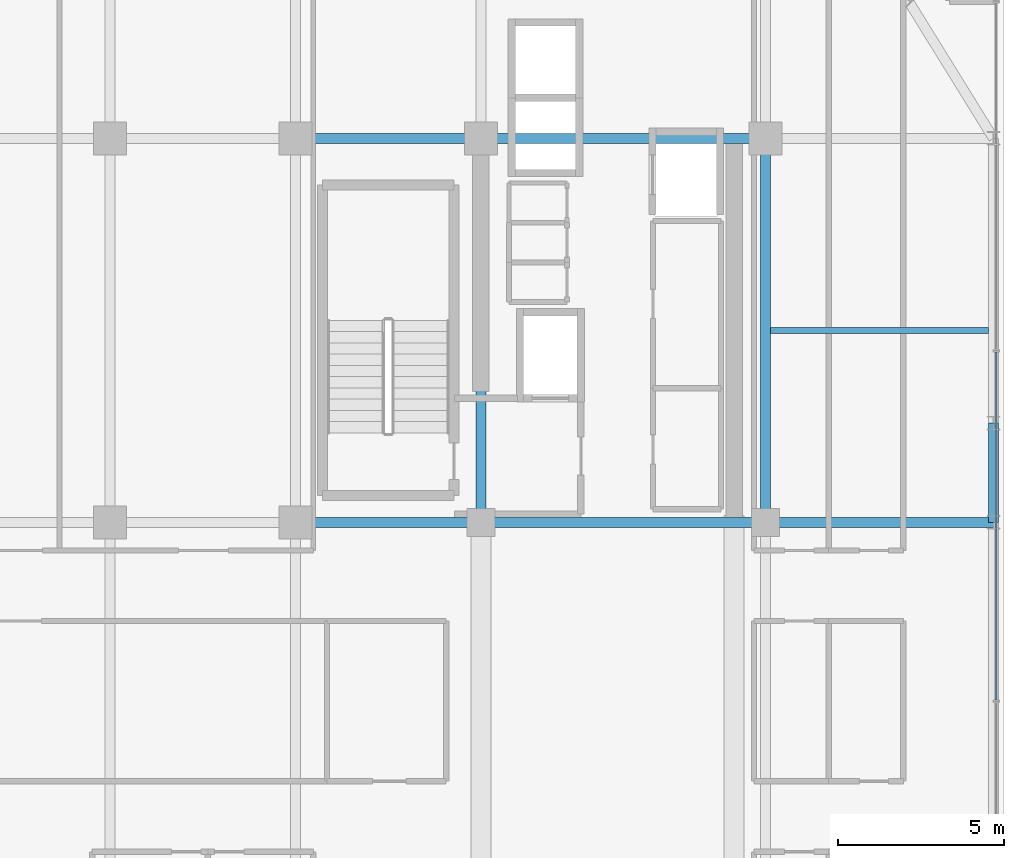
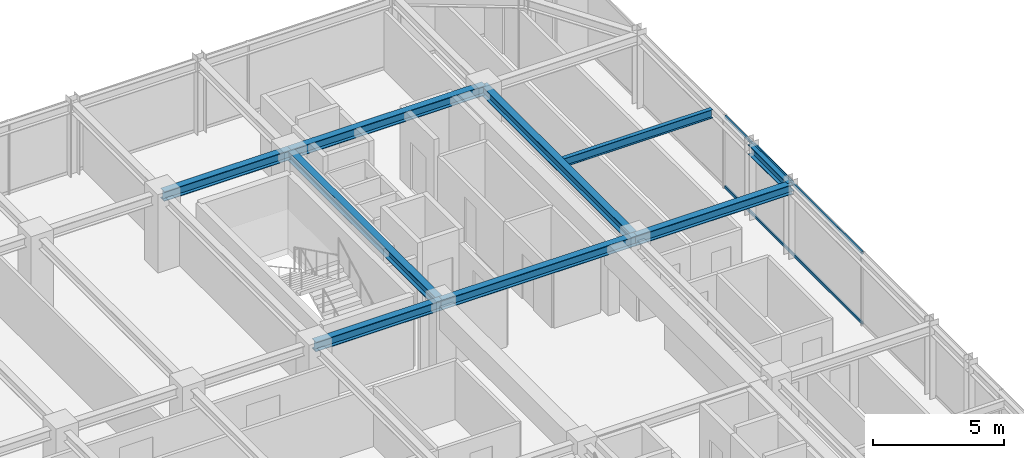
# One storey, part 23 of 35: 9 beams, 2 members, 1 element without a shape of its own.
"""IFC4 building model written with IfcOpenShell, lengths in metres."""

import ifcopenshell
import ifcopenshell.guid

model = None  # the IFC model being written
_history = None  # IfcOwnerHistory: only IFC2X3 demands one
_inside = {}  # id of a spatial element -> (the spatial element, [elements in it])
_under = {}  # id of a project, library or spatial element -> (it, [spatial elements below it])
_declared = {}  # id of a project -> (the project, [libraries it declares])
_typed = {}  # id of a type object -> (the type object, [elements of that type])
_made_of = {}  # id of a material, layer set ... -> (it, [elements and type objects made of it])


def new_model(schema):
    """Start an empty IFC model of exactly this schema.

    Asked for "IFC4X3", IfcOpenShell would pick the latest addendum, in which some entities
    have other attributes; the version numbers below select the first issue.
    IFC2X3 requires an IfcOwnerHistory on every rooted entity: one is made here for all.
    """
    global model, _history
    if schema == "IFC4X3":
        model = ifcopenshell.file(schema_version=(4, 3, 0, 0))
    else:
        model = ifcopenshell.file(schema=schema)
    _inside.clear()
    _under.clear()
    _declared.clear()
    _typed.clear()
    _made_of.clear()
    _history = None
    if model.schema == "IFC2X3":
        org = make("IfcOrganization", Name="unknown")
        user = make(
            "IfcPersonAndOrganization",
            ThePerson=make("IfcPerson", FamilyName="unknown"),
            TheOrganization=org,
        )
        app = make(
            "IfcApplication",
            ApplicationDeveloper=org,
            Version="unknown",
            ApplicationFullName="unknown",
            ApplicationIdentifier="unknown",
        )
        _history = make(
            "IfcOwnerHistory",
            OwningUser=user,
            OwningApplication=app,
            ChangeAction="ADDED",
            CreationDate=0,
        )
    return model


def make(cls, **values):
    """One entity of the class cls with the attributes given. An attribute that is None is left unset."""
    return model.create_entity(
        cls, **{name: value for name, value in values.items() if value is not None}
    )


def rooted(cls, **values):
    """An entity with a GlobalId (a new one), such as an element, a storey or a relation."""
    return make(cls, GlobalId=ifcopenshell.guid.new(), OwnerHistory=_history, **values)


def si_unit(unit_type, name, prefix=None):
    """IfcSIUnit, for example si_unit("LENGTHUNIT", "METRE", prefix="MILLI")."""
    return make("IfcSIUnit", UnitType=unit_type, Prefix=prefix, Name=name)


def assignment(units):
    """IfcUnitAssignment: the units of a project."""
    return None if units is None else make("IfcUnitAssignment", Units=units)


def point(xyz):
    """IfcCartesianPoint."""
    return None if xyz is None else make("IfcCartesianPoint", Coordinates=xyz)


def direction(xyz):
    """IfcDirection."""
    return None if xyz is None else make("IfcDirection", DirectionRatios=xyz)


def frame(location, z_axis=None, x_axis=None):
    """IfcAxis2Placement3D, a coordinate frame: its origin and axes. An axis left out is left unset."""
    return make(
        "IfcAxis2Placement3D",
        Location=point(location),
        Axis=direction(z_axis),
        RefDirection=direction(x_axis),
    )


def frame_2d(location, x_axis=None):
    """IfcAxis2Placement2D, a coordinate frame in the plane: its origin and x axis."""
    return make(
        "IfcAxis2Placement2D", Location=point(location), RefDirection=direction(x_axis)
    )


def origin():
    """The frame at (0, 0, 0) with its axes left unset."""
    return frame((0.0, 0.0, 0.0))


def origin_2d():
    """The frame at (0, 0) in the plane with its x axis left unset."""
    return frame_2d((0.0, 0.0))


def place(relative_to, where):
    """IfcLocalPlacement: puts the frame where relative to a parent placement (None: the world)."""
    return make(
        "IfcLocalPlacement", PlacementRelTo=relative_to, RelativePlacement=where
    )


def context(
    kind, dimensions, precision=None, world=None, true_north=None, identifier=None
):
    """IfcGeometricRepresentationContext, for example the 3D "Model" context."""
    return make(
        "IfcGeometricRepresentationContext",
        ContextIdentifier=identifier,
        ContextType=kind,
        CoordinateSpaceDimension=dimensions,
        Precision=precision,
        WorldCoordinateSystem=world,
        TrueNorth=true_north,
    )


def subcontext(parent, identifier, kind, view, scale=None):
    """IfcGeometricRepresentationSubContext, for example "Body" below "Model"."""
    return make(
        "IfcGeometricRepresentationSubContext",
        ContextIdentifier=identifier,
        ContextType=kind,
        ParentContext=parent,
        TargetScale=scale,
        TargetView=view,
    )


def project(units=None, contexts=None):
    """IfcProject with its units and contexts."""
    return rooted(
        "IfcProject",
        Name="project",
        RepresentationContexts=contexts,
        UnitsInContext=assignment(units),
    )


def spatial(cls, under=None, at=None, **own):
    """A site, building, storey or space (cls), placed at a placement, below another one or the project."""
    s = rooted(cls, ObjectPlacement=at, **own)
    if under is not None:
        _under.setdefault(under.id(), (under, []))[1].append(s)
    return s


def profile(cls, at=None, kind="AREA", **sizes):
    """A parametric profile (cls). Its sizes go by their IFC names, for example OverallWidth=200.0."""
    return make(cls, ProfileType=kind, Position=at, **sizes)


def hollow_rectangle(**sizes):
    """IfcRectangleHollowProfileDef."""
    return profile("IfcRectangleHollowProfileDef", **sizes)


def i_section(**sizes):
    """IfcIShapeProfileDef."""
    return profile("IfcIShapeProfileDef", **sizes)


def extrude(swept, where, along, depth):
    """IfcExtrudedAreaSolid: the profile swept, set in the frame where, extruded along a direction by depth."""
    return make(
        "IfcExtrudedAreaSolid",
        SweptArea=swept,
        Position=where,
        ExtrudedDirection=direction(along),
        Depth=depth,
    )


def shape(context_of_items, identifier, shape_type, items):
    """IfcShapeRepresentation: the items that make up one representation, for example the "Body"."""
    return make(
        "IfcShapeRepresentation",
        ContextOfItems=context_of_items,
        RepresentationIdentifier=identifier,
        RepresentationType=shape_type,
        Items=items,
    )


def source(mapping_origin, context_of_items, identifier, shape_type, items):
    """IfcRepresentationMap: a shape defined once, which mapped items show again and again."""
    return make(
        "IfcRepresentationMap",
        MappingOrigin=mapping_origin,
        MappedRepresentation=shape(context_of_items, identifier, shape_type, items),
    )


def transform(
    local_origin,
    x_axis=None,
    y_axis=None,
    z_axis=None,
    scale=None,
    scale2=None,
    scale3=None,
    uniform=True,
):
    """IfcCartesianTransformationOperator3D, or its non-uniform kind. x_axis, y_axis, z_axis: its Axis1, 2, 3."""
    if uniform:
        return make(
            "IfcCartesianTransformationOperator3D",
            Axis1=direction(x_axis),
            Axis2=direction(y_axis),
            LocalOrigin=point(local_origin),
            Scale=scale,
            Axis3=direction(z_axis),
        )
    return make(
        "IfcCartesianTransformationOperator3DnonUniform",
        Axis1=direction(x_axis),
        Axis2=direction(y_axis),
        LocalOrigin=point(local_origin),
        Scale=scale,
        Axis3=direction(z_axis),
        Scale2=scale2,
        Scale3=scale3,
    )


def mapped(mapping_source, mapping_target):
    """IfcMappedItem: shows the shape of a source again, moved by a transform."""
    return make(
        "IfcMappedItem", MappingSource=mapping_source, MappingTarget=mapping_target
    )


def material(Name=None, Category=None):
    """IfcMaterial."""
    return make("IfcMaterial", Name=Name, Category=Category)


def material_profile(
    of_material, cross_section, Name=None, Category=None, Priority=None
):
    """IfcMaterialProfile: a cross section and its material."""
    return make(
        "IfcMaterialProfile",
        Name=Name,
        Material=of_material,
        Profile=cross_section,
        Priority=Priority,
        Category=Category,
    )


def profile_set(profiles, Name=None, composite=None):
    """IfcMaterialProfileSet."""
    return make(
        "IfcMaterialProfileSet",
        Name=Name,
        MaterialProfiles=profiles,
        CompositeProfile=composite,
    )


def made_of(thing, what):
    """Note that an element or type object is made of a material, layer set ...; save() writes the relation."""
    if what is not None:
        _made_of.setdefault(what.id(), (what, []))[1].append(thing)
    return thing


def type_object(cls, material=None, **own):
    """A type object (cls), such as IfcWallType, which elements share."""
    return made_of(rooted(cls, **own), material)


def element(
    cls,
    number,
    at=None,
    inside=None,
    cuts=None,
    type_object=None,
    material=None,
    context=None,
    identifier="Body",
    shape_type=None,
    held_by="IfcProductDefinitionShape",
    body=None,
    shapes=None,
    **own,
):
    """One element of the class cls, such as IfcWall. Its Tag is "e" and its number.

    at: its placement. inside: the storey or other place that contains it. cuts: it is an
    opening in that element (IfcRelVoidsElement). A single representation is given by context,
    identifier, shape_type and body (its items); several are given by shapes. held_by: the class
    of the entity that holds the representations. save() writes the other relations.
    """
    e = rooted(cls, Tag="e%d" % number, ObjectPlacement=at, **own)
    if body is not None:
        shapes = [shape(context, identifier, shape_type, body)]
    if shapes is not None:
        e.Representation = make(held_by, Representations=shapes)
    if inside is not None:
        _inside.setdefault(inside.id(), (inside, []))[1].append(e)
    if cuts is not None:
        rooted(
            "IfcRelVoidsElement", RelatingBuildingElement=cuts, RelatedOpeningElement=e
        )
    if type_object is not None:
        _typed.setdefault(type_object.id(), (type_object, []))[1].append(e)
    return made_of(e, material)


def aggregate(whole, parts):
    """IfcRelAggregates: a whole, such as a stair, and the parts it consists of."""
    return rooted("IfcRelAggregates", RelatingObject=whole, RelatedObjects=parts)


def save(model, path):
    """Write the relations noted so far, then the file.

    IfcRelAggregates (storeys below a building ...), IfcRelContainedInSpatialStructure (elements
    in a storey), IfcRelDefinesByType, IfcRelAssociatesMaterial and IfcRelDeclares: one each for
    every whole, place, type object, material and project.
    """
    for whole, parts in _under.values():
        aggregate(whole, parts)
    for where, things in _inside.values():
        rooted(
            "IfcRelContainedInSpatialStructure",
            RelatedElements=things,
            RelatingStructure=where,
        )
    for kind, things in _typed.values():
        rooted("IfcRelDefinesByType", RelatedObjects=things, RelatingType=kind)
    for what, things in _made_of.values():
        rooted("IfcRelAssociatesMaterial", RelatedObjects=things, RelatingMaterial=what)
    for by, libraries in _declared.values():
        rooted("IfcRelDeclares", RelatingContext=by, RelatedDefinitions=libraries)
    model.write(path)


model = new_model("IFC4")

# Units and contexts
model_context = context("Model", 3, precision=1e-05, world=origin(), true_north=direction((0.0, 1.0)))
body_context = subcontext(model_context, "Body", "Model", "MODEL_VIEW")
ifc_project = project(units=[si_unit("LENGTHUNIT", "METRE"), si_unit("AREAUNIT", "SQUARE_METRE"), si_unit("VOLUMEUNIT", "CUBIC_METRE"), si_unit("PLANEANGLEUNIT", "RADIAN"), si_unit("MASSUNIT", "GRAM", prefix="KILO")], contexts=[model_context])

# Site, building, storey
site_placement = place(None, origin())
site = spatial("IfcSite", under=ifc_project, at=site_placement, CompositionType="ELEMENT")
building_placement = place(site_placement, origin())
building = spatial("IfcBuilding", under=site, at=building_placement, Name="Nahalor Promenade Grand Hotel", CompositionType="ELEMENT")
storey_placement = place(building_placement, frame((0.0, 0.0, 245.60009765625)))
storey = spatial("IfcBuildingStorey", under=building, at=storey_placement, Name="L63", CompositionType="ELEMENT", Elevation=245.60009765625)

# Beams
ifc_material_1 = material(Name="Steel S355JR", Category="steel")
ifc_material_profile_1 = material_profile(ifc_material_1, i_section(OverallWidth=0.3, OverallDepth=0.45, WebThickness=0.014, FlangeThickness=0.026, at=origin_2d()), Name="HEB 450")
ifc_profile_set_1 = profile_set([ifc_material_profile_1], Name="Steel S355JR")
beam_type_1 = type_object("IfcBeamType", Name="Beam-Spandrel-HEB450", PredefinedType="SPANDREL", material=ifc_profile_set_1)
shared_shape_1 = source(origin(), body_context, "Body", "SweptSolid", [
    extrude(i_section(OverallWidth=0.3, OverallDepth=0.45, WebThickness=0.014, FlangeThickness=0.026, at=origin_2d()), origin(), (0.0, 0.0, 1.0), 3.0),
])
beam_1_placement = place(storey_placement, frame((23.8798828125, 5.39990234375, 3.184814453125), z_axis=(0.0, 1.0, 0.0), x_axis=(-1.0, 0.0, 0.0)))
element("IfcBeam", 1, at=beam_1_placement, inside=storey, type_object=beam_type_1, Name="BM-L63-SP-E-3", PredefinedType="SPANDREL", context=body_context, shape_type="MappedRepresentation", body=[
    mapped(shared_shape_1, transform((0.0, 0.0, 0.0), scale=1.0)),
])
ifc_material_profile_2 = material_profile(ifc_material_1, i_section(OverallWidth=0.3, OverallDepth=0.45, WebThickness=0.014, FlangeThickness=0.026, at=origin_2d()), Name="HEB 450")
ifc_profile_set_2 = profile_set([ifc_material_profile_2], Name="Steel S355JR")
beam_type_2 = type_object("IfcBeamType", Name="Beam-Girder-HEB450", PredefinedType="BEAM", material=ifc_profile_set_2)
shared_shape_2 = source(origin(), body_context, "Body", "SweptSolid", [
    extrude(i_section(OverallWidth=0.3, OverallDepth=0.45, WebThickness=0.014, FlangeThickness=0.026, at=origin_2d()), origin(), (0.0, 0.0, 1.0), 6.8798828125),
])
beam_2_placement = place(storey_placement, frame((17.0, 5.39990234375, 3.184814453125), z_axis=(1.0, 0.0, 0.0), x_axis=(0.0, 1.0, 0.0)))
element("IfcBeam", 2, at=beam_2_placement, inside=storey, type_object=beam_type_2, Name="BM-L63-GX-2-6", PredefinedType="BEAM", context=body_context, shape_type="MappedRepresentation", body=[
    mapped(shared_shape_2, transform((0.0, 0.0, 0.0), scale=1.0)),
])
shared_shape_3 = source(origin(), body_context, "Body", "SweptSolid", [
    extrude(i_section(OverallWidth=0.3, OverallDepth=0.45, WebThickness=0.014, FlangeThickness=0.026, at=origin_2d()), origin(), (0.0, 0.0, 1.0), 8.60009765625),
])
for number, where, z_axis, x_axis, name in (
    (3, (8.39990234375, 5.39990234375, 3.184814453125), (1.0, 0.0, 0.0), (0.0, 1.0, 0.0), "BM-L63-GX-2-5"),
    (4, (8.39990234375, 17.0, 3.184814453125), (1.0, 0.0, 0.0), (0.0, 1.0, 0.0), "BM-L63-GX-3-5"),
):
    element("IfcBeam", number, at=place(storey_placement, frame(where, z_axis=z_axis, x_axis=x_axis)), inside=storey, type_object=beam_type_2, Name=name, PredefinedType="BEAM", context=body_context, shape_type="MappedRepresentation", body=[
        mapped(shared_shape_3, transform((0.0, 0.0, 0.0), scale=1.0)),
    ])
shared_shape_4 = source(origin(), body_context, "Body", "SweptSolid", [
    extrude(i_section(OverallWidth=0.3, OverallDepth=0.45, WebThickness=0.014, FlangeThickness=0.026, at=origin_2d()), origin(), (0.0, 0.0, 1.0), 5.599853515625),
])
for number, where, z_axis, x_axis, name in (
    (5, (2.800048828125, 5.39990234375, 3.184814453125), (1.0, 0.0, 0.0), (0.0, 1.0, 0.0), "BM-L63-GX-2-4"),
    (6, (2.800048828125, 17.0, 3.184814453125), (1.0, 0.0, 0.0), (0.0, 1.0, 0.0), "BM-L63-GX-3-4"),
):
    element("IfcBeam", number, at=place(storey_placement, frame(where, z_axis=z_axis, x_axis=x_axis)), inside=storey, type_object=beam_type_2, Name=name, PredefinedType="BEAM", context=body_context, shape_type="MappedRepresentation", body=[
        mapped(shared_shape_4, transform((0.0, 0.0, 0.0), scale=1.0)),
    ])
shared_shape_5 = source(origin(), body_context, "Body", "SweptSolid", [
    extrude(i_section(OverallWidth=0.3, OverallDepth=0.45, WebThickness=0.014, FlangeThickness=0.026, at=origin_2d()), origin(), (0.0, 0.0, 1.0), 11.60009765625),
])
for number, where, z_axis, x_axis, name in (
    (7, (8.39990234375, 5.39990234375, 3.184814453125), (0.0, 1.0, 0.0), (-1.0, 0.0, 0.0), "BM-L63-GY-4-3"),
    (8, (17.0, 5.39990234375, 3.184814453125), (0.0, 1.0, 0.0), (-1.0, 0.0, 0.0), "BM-L63-GY-5-3"),
):
    element("IfcBeam", number, at=place(storey_placement, frame(where, z_axis=z_axis, x_axis=x_axis)), inside=storey, type_object=beam_type_2, Name=name, PredefinedType="BEAM", context=body_context, shape_type="MappedRepresentation", body=[
        mapped(shared_shape_5, transform((0.0, 0.0, 0.0), scale=1.0)),
    ])
ifc_material_profile_3 = material_profile(ifc_material_1, i_section(OverallWidth=0.18, OverallDepth=0.4, WebThickness=0.0086, FlangeThickness=0.0135, at=origin_2d()), Name="IPE 400")
ifc_profile_set_3 = profile_set([ifc_material_profile_3], Name="Steel S355JR")
beam_type_3 = type_object("IfcBeamType", Name="Beam-Joist-IPE400", PredefinedType="JOIST", material=ifc_profile_set_3)
shared_shape_6 = source(origin(), body_context, "Body", "SweptSolid", [
    extrude(i_section(OverallWidth=0.18, OverallDepth=0.4, WebThickness=0.0086, FlangeThickness=0.0135, at=origin_2d()), origin(), (0.0, 0.0, 1.0), 6.580078125),
])
beam_3_placement = place(storey_placement, frame((17.14990234375, 11.199951171875, 3.2099609375), z_axis=(1.0, 0.0, 0.0), x_axis=(0.0, 1.0, 0.0)))
element("IfcBeam", 9, at=beam_3_placement, inside=storey, type_object=beam_type_3, Name="BM-L63-JSE-1-2", PredefinedType="JOIST", context=body_context, shape_type="MappedRepresentation", body=[
    mapped(shared_shape_6, transform((0.0, 0.0, 0.0), scale=1.0)),
])

# Curtain wall, members
ifc_material_2 = material(Name="Anodised Bronze Aluminium EN AW-6063 T6", Category="aluminium")
curtain_wall_type = type_object("IfcCurtainWallType", Name="CW2 Typical Hotel Flush Bronze Unitised Curtain Wall", PredefinedType="USERDEFINED", material=ifc_material_2)
curtain_wall_placement = place(storey_placement, origin())
curtain_wall = element("IfcCurtainWall", 10, at=curtain_wall_placement, inside=storey, type_object=curtain_wall_type, Name="L63 Curtain Wall CW-L63-E-1", ObjectType="UNITISED_CURTAIN_WALL", PredefinedType="USERDEFINED")
ifc_material_profile_4 = material_profile(ifc_material_2, hollow_rectangle(XDim=0.065, YDim=0.13, WallThickness=0.004, at=origin_2d()), Name="CWT 65x130x4")
ifc_profile_set_4 = profile_set([ifc_material_profile_4], Name="Anodised Bronze Aluminium EN AW-6063 T6")
member_type = type_object("IfcMemberType", Name="CWT2 Typical Bronze Transom 65x130", PredefinedType="USERDEFINED", material=ifc_profile_set_4)
shared_shape_7 = source(origin(), body_context, "Body", "SweptSolid", [
    extrude(hollow_rectangle(XDim=0.065, YDim=0.13, WallThickness=0.004, at=origin_2d()), origin(), (0.0, 0.0, 1.0), 10.51513671875),
])
member_1_placement = place(storey_placement, frame((23.9599609375, 0.032470703125, 0.06494140625), z_axis=(0.0, 1.0, 0.0), x_axis=(-1.0, 0.0, 0.0)))
member_1 = element("IfcMember", 11, at=member_1_placement, type_object=member_type, Name="CW-L63-E-1 Transom 2-0", ObjectType="TRANSOM", PredefinedType="USERDEFINED", context=body_context, shape_type="MappedRepresentation", body=[
    mapped(shared_shape_7, transform((0.0, 0.0, 0.0), scale=1.0)),
])
member_2_placement = place(storey_placement, frame((23.9599609375, 0.032470703125, 3.344970703125), z_axis=(0.0, 1.0, 0.0), x_axis=(-1.0, 0.0, 0.0)))
member_2 = element("IfcMember", 12, at=member_2_placement, type_object=member_type, Name="CW-L63-E-1 Transom 2-1", ObjectType="TRANSOM", PredefinedType="USERDEFINED", context=body_context, shape_type="MappedRepresentation", body=[
    mapped(shared_shape_7, transform((0.0, 0.0, 0.0), scale=1.0)),
])
aggregate(curtain_wall, [member_1, member_2])

save(model, "model.ifc")
